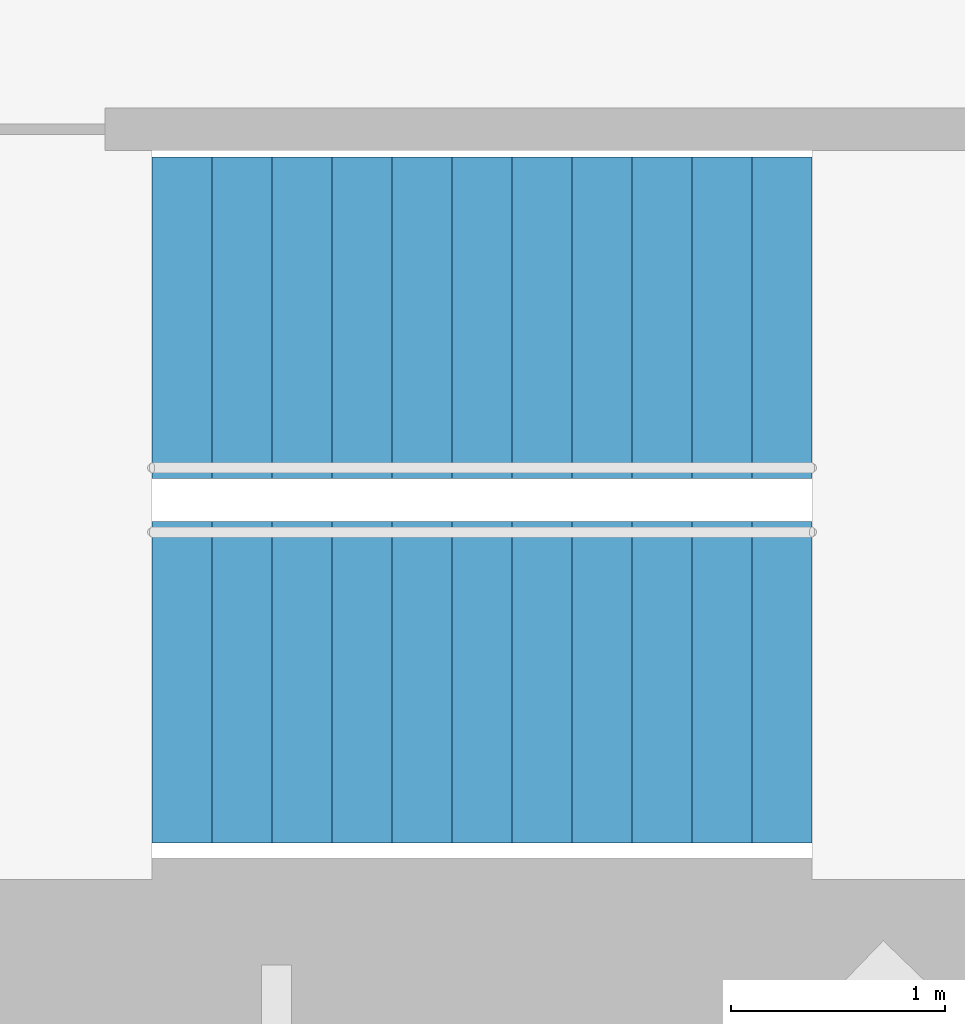
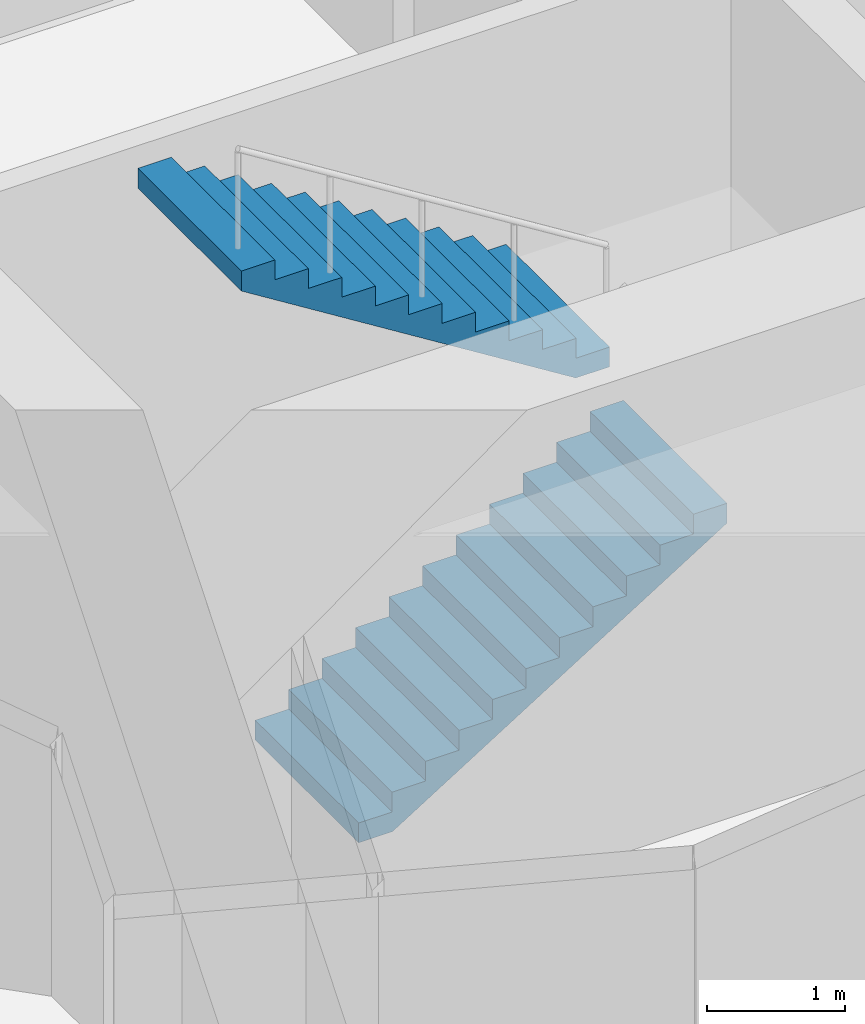
# One storey, part 16 of 18: 2 stair flights, 1 element without a shape of its own.
"""IFC4 building model written with IfcOpenShell, lengths in metres."""

from ifc_helpers import new_model, si_unit, direction, frame, origin, place, context, subcontext, project, spatial, triangles, material, type_object, element, aggregate, save


model = new_model("IFC4")

# Units and contexts
model_context = context("Model", 3, precision=1e-05, world=origin(), true_north=direction((0.0, 1.0)))
body_context = subcontext(model_context, "Body", "Model", "MODEL_VIEW")
ifc_project = project(units=[si_unit("LENGTHUNIT", "METRE"), si_unit("AREAUNIT", "SQUARE_METRE"), si_unit("VOLUMEUNIT", "CUBIC_METRE"), si_unit("PLANEANGLEUNIT", "RADIAN"), si_unit("MASSUNIT", "GRAM", prefix="KILO")], contexts=[model_context])

# Site, building, storey
site_placement = place(None, origin())
site = spatial("IfcSite", under=ifc_project, at=site_placement, CompositionType="ELEMENT")
building_placement = place(site_placement, origin())
building = spatial("IfcBuilding", under=site, at=building_placement, Name="Lantaw Convention Tower", CompositionType="ELEMENT")
storey_placement = place(building_placement, frame((0.0, 0.0, 262.0)))
storey = spatial("IfcBuildingStorey", under=building, at=storey_placement, Name="L61", CompositionType="ELEMENT", Elevation=262.0)

# Stair, stair flights
ifc_material = material(Name="Concrete C35/45", Category="concrete")
stair_type = type_object("IfcStairType", Name="Exit stair 1500 riser 175 in 2 flights", PredefinedType="HALF_TURN_STAIR", material=ifc_material)
stair_placement = place(storey_placement, origin())
stair = element("IfcStair", 1, at=stair_placement, inside=storey, type_object=stair_type, Name="Exit stair S1 L61", PredefinedType="HALF_TURN_STAIR")
stair_flight_type = type_object("IfcStairFlightType", Name="Stair flight 1500 riser 175", PredefinedType="STRAIGHT", material=ifc_material)
stair_flight_1_placement = place(storey_placement, frame((-10.580078125, -5.97998046875, 0.0), z_axis=(0.0, 0.0, 1.0), x_axis=(1.0, 0.0, 0.0)))
stair_flight_1 = element("IfcStairFlight", 2, at=stair_flight_1_placement, type_object=stair_flight_type, Name="S1 flight 1", NumberOfRisers=12, NumberOfTreads=11, PredefinedType="STRAIGHT", RiserHeight=0.175, TreadLength=0.28, context=body_context, shape_type="Tessellation", body=[
    triangles([(0.0, 0.75, 0.0), (0.0, 0.75, 0.175), (0.28, 0.75, 0.0), (0.28, 0.75, 0.175), (0.28, 0.75, 0.35), (0.28283517651771284, 0.75, 0.0), (0.28283517651771284, 0.75, 0.35), (0.56, 0.75, 0.17322801467642948), (0.56, 0.75, 0.35), (0.56, 0.75, 0.5249999999999999), (0.8400000000000001, 0.75, 0.34822801467642944), (0.8400000000000001, 0.75, 0.5249999999999999), (0.8400000000000001, 0.75, 0.7), (1.12, 0.75, 0.5232280146764294), (1.12, 0.75, 0.7), (1.12, 0.75, 0.875), (1.4000000000000001, 0.75, 0.6982280146764295), (1.4000000000000001, 0.75, 0.875), (1.4000000000000001, 0.75, 1.0499999999999998), (1.6800000000000002, 0.75, 0.8732280146764294), (1.6800000000000002, 0.75, 1.0499999999999998), (1.6800000000000002, 0.75, 1.2249999999999999), (1.9600000000000002, 0.75, 1.0482280146764293), (1.9600000000000002, 0.75, 1.2249999999999999), (1.9600000000000002, 0.75, 1.4), (2.24, 0.75, 1.2232280146764294), (2.24, 0.75, 1.4), (2.24, 0.75, 1.575), (2.5200000000000005, 0.75, 1.3982280146764294), (2.5200000000000005, 0.75, 1.575), (2.5200000000000005, 0.75, 1.75), (2.8000000000000003, 0.75, 1.5732280146764293), (2.8000000000000003, 0.75, 1.75), (2.8000000000000003, 0.75, 1.9249999999999998), (3.08, 0.75, 1.7482280146764293), (3.08, 0.75, 1.9249999999999998), (0.0, -0.75, 0.0), (0.0, -0.75, 0.175), (0.28, -0.75, 0.0), (0.28, -0.75, 0.175), (0.28, -0.75, 0.35), (0.28283517651771284, -0.75, 0.0), (0.28283517651771284, -0.75, 0.35), (0.56, -0.75, 0.17322801467642948), (0.56, -0.75, 0.35), (0.56, -0.75, 0.5249999999999999), (0.8400000000000001, -0.75, 0.34822801467642944), (0.8400000000000001, -0.75, 0.5249999999999999), (0.8400000000000001, -0.75, 0.7), (1.12, -0.75, 0.5232280146764294), (1.12, -0.75, 0.7), (1.12, -0.75, 0.875), (1.4000000000000001, -0.75, 0.6982280146764295), (1.4000000000000001, -0.75, 0.875), (1.4000000000000001, -0.75, 1.0499999999999998), (1.6800000000000002, -0.75, 0.8732280146764294), (1.6800000000000002, -0.75, 1.0499999999999998), (1.6800000000000002, -0.75, 1.2249999999999999), (1.9600000000000002, -0.75, 1.0482280146764293), (1.9600000000000002, -0.75, 1.2249999999999999), (1.9600000000000002, -0.75, 1.4), (2.24, -0.75, 1.2232280146764294), (2.24, -0.75, 1.4), (2.24, -0.75, 1.575), (2.5200000000000005, -0.75, 1.3982280146764294), (2.5200000000000005, -0.75, 1.575), (2.5200000000000005, -0.75, 1.75), (2.8000000000000003, -0.75, 1.5732280146764293), (2.8000000000000003, -0.75, 1.75), (2.8000000000000003, -0.75, 1.9249999999999998), (3.08, -0.75, 1.7482280146764293), (3.08, -0.75, 1.9249999999999998), (0.0, 0.15000000000000002, 0.175), (0.0, 0.15000000000000002, 0.0), (0.0, 0.0, 0.175), (0.0, 0.0, 0.0), (0.0, -0.15000000000000002, 0.175), (0.0, -0.15000000000000002, 0.0), (0.28, 0.15000000000000002, 0.35), (0.28, 0.15000000000000002, 0.175), (0.28, 0.0, 0.35), (0.28, 0.0, 0.175), (0.28, -0.15000000000000002, 0.35), (0.28, -0.15000000000000002, 0.175), (0.56, 0.15000000000000002, 0.5249999999999999), (0.56, 0.15000000000000002, 0.35), (0.56, 0.0, 0.5249999999999999), (0.56, 0.0, 0.35), (0.56, -0.15000000000000002, 0.5249999999999999), (0.56, -0.15000000000000002, 0.35), (0.8400000000000001, 0.15000000000000002, 0.7), (0.8400000000000001, 0.15000000000000002, 0.5249999999999999), (0.8400000000000001, 0.0, 0.7), (0.8400000000000001, 0.0, 0.5249999999999999), (0.8400000000000001, -0.15000000000000002, 0.7), (0.8400000000000001, -0.15000000000000002, 0.5249999999999999), (1.12, 0.15000000000000002, 0.875), (1.12, 0.15000000000000002, 0.7), (1.12, 0.0, 0.875), (1.12, 0.0, 0.7), (1.12, -0.15000000000000002, 0.875), (1.12, -0.15000000000000002, 0.7), (1.4000000000000001, 0.15000000000000002, 1.0499999999999998), (1.4000000000000001, 0.15000000000000002, 0.875), (1.4000000000000001, 0.0, 1.0499999999999998), (1.4000000000000001, 0.0, 0.875), (1.4000000000000001, -0.15000000000000002, 1.0499999999999998), (1.4000000000000001, -0.15000000000000002, 0.875), (1.6800000000000002, 0.15000000000000002, 1.2249999999999999), (1.6800000000000002, 0.15000000000000002, 1.0499999999999998), (1.6800000000000002, 0.0, 1.2249999999999999), (1.6800000000000002, 0.0, 1.0499999999999998), (1.6800000000000002, -0.15000000000000002, 1.2249999999999999), (1.6800000000000002, -0.15000000000000002, 1.0499999999999998), (1.9600000000000002, 0.15000000000000002, 1.4), (1.9600000000000002, 0.15000000000000002, 1.2249999999999999), (1.9600000000000002, 0.0, 1.4), (1.9600000000000002, 0.0, 1.2249999999999999), (1.9600000000000002, -0.15000000000000002, 1.4), (1.9600000000000002, -0.15000000000000002, 1.2249999999999999), (2.24, 0.15000000000000002, 1.575), (2.24, 0.15000000000000002, 1.4), (2.24, 0.0, 1.575), (2.24, 0.0, 1.4), (2.24, -0.15000000000000002, 1.575), (2.24, -0.15000000000000002, 1.4), (2.5200000000000005, 0.15000000000000002, 1.75), (2.5200000000000005, 0.15000000000000002, 1.575), (2.5200000000000005, 0.0, 1.75), (2.5200000000000005, 0.0, 1.575), (2.5200000000000005, -0.15000000000000002, 1.75), (2.5200000000000005, -0.15000000000000002, 1.575), (2.8000000000000003, 0.15000000000000002, 1.9249999999999998), (2.8000000000000003, 0.15000000000000002, 1.75), (2.8000000000000003, 0.0, 1.9249999999999998), (2.8000000000000003, 0.0, 1.75), (2.8000000000000003, -0.15000000000000002, 1.9249999999999998), (2.8000000000000003, -0.15000000000000002, 1.75), (0.28283517651771284, 0.15000000000000002, 0.35), (0.28283517651771284, 0.0, 0.35), (0.28283517651771284, -0.15000000000000002, 0.35), (3.08, 0.15000000000000002, 1.9249999999999998), (3.08, 0.0, 1.9249999999999998), (3.08, -0.15000000000000002, 1.9249999999999998), (3.08, 0.15000000000000002, 1.7482280146764293), (3.08, 0.0, 1.7482280146764293), (3.08, -0.15000000000000002, 1.7482280146764293), (2.8000000000000003, 0.15000000000000002, 1.5732280146764293), (2.8000000000000003, 0.0, 1.5732280146764293), (2.8000000000000003, -0.15000000000000002, 1.5732280146764293), (2.5200000000000005, 0.15000000000000002, 1.3982280146764294), (2.5200000000000005, 0.0, 1.3982280146764294), (2.5200000000000005, -0.15000000000000002, 1.3982280146764294), (2.24, 0.15000000000000002, 1.2232280146764294), (2.24, 0.0, 1.2232280146764294), (2.24, -0.15000000000000002, 1.2232280146764294), (1.9600000000000002, 0.15000000000000002, 1.0482280146764293), (1.9600000000000002, 0.0, 1.0482280146764293), (1.9600000000000002, -0.15000000000000002, 1.0482280146764293), (1.6800000000000002, 0.15000000000000002, 0.8732280146764294), (1.6800000000000002, 0.0, 0.8732280146764294), (1.6800000000000002, -0.15000000000000002, 0.8732280146764294), (1.4000000000000001, 0.15000000000000002, 0.6982280146764295), (1.4000000000000001, 0.0, 0.6982280146764295), (1.4000000000000001, -0.15000000000000002, 0.6982280146764295), (1.12, 0.15000000000000002, 0.5232280146764294), (1.12, 0.0, 0.5232280146764294), (1.12, -0.15000000000000002, 0.5232280146764294), (0.8400000000000001, 0.15000000000000002, 0.34822801467642944), (0.8400000000000001, 0.0, 0.34822801467642944), (0.8400000000000001, -0.15000000000000002, 0.34822801467642944), (0.56, 0.15000000000000002, 0.17322801467642948), (0.56, 0.0, 0.17322801467642948), (0.56, -0.15000000000000002, 0.17322801467642948), (0.28283517651771284, 0.15000000000000002, 0.0), (0.28283517651771284, 0.0, 0.0), (0.28283517651771284, -0.15000000000000002, 0.0), (0.28, 0.15000000000000002, 0.0), (0.28, 0.0, 0.0), (0.28, -0.15000000000000002, 0.0)], [[1, 4, 3], [1, 2, 4], [3, 4, 6], [4, 7, 6], [4, 5, 7], [6, 9, 8], [6, 7, 9], [8, 9, 11], [9, 12, 11], [9, 10, 12], [11, 12, 14], [12, 15, 14], [12, 13, 15], [14, 15, 17], [15, 18, 17], [15, 16, 18], [17, 18, 20], [18, 21, 20], [18, 19, 21], [20, 21, 23], [21, 24, 23], [21, 22, 24], [23, 24, 26], [24, 27, 26], [24, 25, 27], [26, 27, 29], [27, 30, 29], [27, 28, 30], [29, 30, 32], [30, 33, 32], [30, 31, 33], [32, 33, 35], [33, 36, 35], [33, 34, 36], [37, 39, 40], [37, 40, 38], [39, 42, 40], [40, 42, 43], [40, 43, 41], [42, 44, 45], [42, 45, 43], [44, 47, 45], [45, 47, 48], [45, 48, 46], [47, 50, 48], [48, 50, 51], [48, 51, 49], [50, 53, 51], [51, 53, 54], [51, 54, 52], [53, 56, 54], [54, 56, 57], [54, 57, 55], [56, 59, 57], [57, 59, 60], [57, 60, 58], [59, 62, 60], [60, 62, 63], [60, 63, 61], [62, 65, 63], [63, 65, 66], [63, 66, 64], [65, 68, 66], [66, 68, 69], [66, 69, 67], [68, 71, 69], [69, 71, 72], [69, 72, 70], [1, 73, 2], [1, 74, 73], [74, 75, 73], [74, 76, 75], [76, 77, 75], [76, 78, 77], [78, 38, 77], [78, 37, 38], [4, 79, 5], [4, 80, 79], [80, 81, 79], [80, 82, 81], [82, 83, 81], [82, 84, 83], [84, 41, 83], [84, 40, 41], [9, 85, 10], [9, 86, 85], [86, 87, 85], [86, 88, 87], [88, 89, 87], [88, 90, 89], [90, 46, 89], [90, 45, 46], [12, 91, 13], [12, 92, 91], [92, 93, 91], [92, 94, 93], [94, 95, 93], [94, 96, 95], [96, 49, 95], [96, 48, 49], [15, 97, 16], [15, 98, 97], [98, 99, 97], [98, 100, 99], [100, 101, 99], [100, 102, 101], [102, 52, 101], [102, 51, 52], [18, 103, 19], [18, 104, 103], [104, 105, 103], [104, 106, 105], [106, 107, 105], [106, 108, 107], [108, 55, 107], [108, 54, 55], [21, 109, 22], [21, 110, 109], [110, 111, 109], [110, 112, 111], [112, 113, 111], [112, 114, 113], [114, 58, 113], [114, 57, 58], [24, 115, 25], [24, 116, 115], [116, 117, 115], [116, 118, 117], [118, 119, 117], [118, 120, 119], [120, 61, 119], [120, 60, 61], [27, 121, 28], [27, 122, 121], [122, 123, 121], [122, 124, 123], [124, 125, 123], [124, 126, 125], [126, 64, 125], [126, 63, 64], [30, 127, 31], [30, 128, 127], [128, 129, 127], [128, 130, 129], [130, 131, 129], [130, 132, 131], [132, 67, 131], [132, 66, 67], [33, 133, 34], [33, 134, 133], [134, 135, 133], [134, 136, 135], [136, 137, 135], [136, 138, 137], [138, 70, 137], [138, 69, 70], [2, 80, 4], [2, 73, 80], [73, 82, 80], [73, 75, 82], [75, 84, 82], [75, 77, 84], [77, 40, 84], [77, 38, 40], [5, 139, 7], [5, 79, 139], [79, 140, 139], [79, 81, 140], [81, 141, 140], [81, 83, 141], [83, 43, 141], [83, 41, 43], [7, 86, 9], [7, 139, 86], [139, 88, 86], [139, 140, 88], [140, 90, 88], [140, 141, 90], [141, 45, 90], [141, 43, 45], [10, 92, 12], [10, 85, 92], [85, 94, 92], [85, 87, 94], [87, 96, 94], [87, 89, 96], [89, 48, 96], [89, 46, 48], [13, 98, 15], [13, 91, 98], [91, 100, 98], [91, 93, 100], [93, 102, 100], [93, 95, 102], [95, 51, 102], [95, 49, 51], [16, 104, 18], [16, 97, 104], [97, 106, 104], [97, 99, 106], [99, 108, 106], [99, 101, 108], [101, 54, 108], [101, 52, 54], [19, 110, 21], [19, 103, 110], [103, 112, 110], [103, 105, 112], [105, 114, 112], [105, 107, 114], [107, 57, 114], [107, 55, 57], [22, 116, 24], [22, 109, 116], [109, 118, 116], [109, 111, 118], [111, 120, 118], [111, 113, 120], [113, 60, 120], [113, 58, 60], [25, 122, 27], [25, 115, 122], [115, 124, 122], [115, 117, 124], [117, 126, 124], [117, 119, 126], [119, 63, 126], [119, 61, 63], [28, 128, 30], [28, 121, 128], [121, 130, 128], [121, 123, 130], [123, 132, 130], [123, 125, 132], [125, 66, 132], [125, 64, 66], [31, 134, 33], [31, 127, 134], [127, 136, 134], [127, 129, 136], [129, 138, 136], [129, 131, 138], [131, 69, 138], [131, 67, 69], [34, 142, 36], [34, 133, 142], [133, 143, 142], [133, 135, 143], [135, 144, 143], [135, 137, 144], [137, 72, 144], [137, 70, 72], [36, 145, 35], [36, 142, 145], [142, 146, 145], [142, 143, 146], [143, 147, 146], [143, 144, 147], [144, 71, 147], [144, 72, 71], [35, 148, 32], [35, 145, 148], [145, 149, 148], [145, 146, 149], [146, 150, 149], [146, 147, 150], [147, 68, 150], [147, 71, 68], [32, 151, 29], [32, 148, 151], [148, 152, 151], [148, 149, 152], [149, 153, 152], [149, 150, 153], [150, 65, 153], [150, 68, 65], [29, 154, 26], [29, 151, 154], [151, 155, 154], [151, 152, 155], [152, 156, 155], [152, 153, 156], [153, 62, 156], [153, 65, 62], [26, 157, 23], [26, 154, 157], [154, 158, 157], [154, 155, 158], [155, 159, 158], [155, 156, 159], [156, 59, 159], [156, 62, 59], [23, 160, 20], [23, 157, 160], [157, 161, 160], [157, 158, 161], [158, 162, 161], [158, 159, 162], [159, 56, 162], [159, 59, 56], [20, 163, 17], [20, 160, 163], [160, 164, 163], [160, 161, 164], [161, 165, 164], [161, 162, 165], [162, 53, 165], [162, 56, 53], [17, 166, 14], [17, 163, 166], [163, 167, 166], [163, 164, 167], [164, 168, 167], [164, 165, 168], [165, 50, 168], [165, 53, 50], [14, 169, 11], [14, 166, 169], [166, 170, 169], [166, 167, 170], [167, 171, 170], [167, 168, 171], [168, 47, 171], [168, 50, 47], [11, 172, 8], [11, 169, 172], [169, 173, 172], [169, 170, 173], [170, 174, 173], [170, 171, 174], [171, 44, 174], [171, 47, 44], [8, 175, 6], [8, 172, 175], [172, 176, 175], [172, 173, 176], [173, 177, 176], [173, 174, 177], [174, 42, 177], [174, 44, 42], [6, 178, 3], [6, 175, 178], [175, 179, 178], [175, 176, 179], [176, 180, 179], [176, 177, 180], [177, 39, 180], [177, 42, 39], [3, 74, 1], [3, 178, 74], [178, 76, 74], [178, 179, 76], [179, 78, 76], [179, 180, 78], [180, 37, 78], [180, 39, 37]], closed=True),
])
stair_flight_2_placement = place(storey_placement, frame((-7.5, -4.280029296875, 2.10009765625), z_axis=(0.0, 0.0, 1.0), x_axis=(-1.0, 0.0, 0.0)))
stair_flight_2 = element("IfcStairFlight", 3, at=stair_flight_2_placement, type_object=stair_flight_type, Name="S1 flight 2", NumberOfRisers=12, NumberOfTreads=11, PredefinedType="STRAIGHT", RiserHeight=0.175, TreadLength=0.28, context=body_context, shape_type="Tessellation", body=[
    triangles([(0.0, 0.75, 0.0), (0.0, 0.75, 0.175), (0.28, 0.75, 0.0), (0.28, 0.75, 0.175), (0.28, 0.75, 0.35), (0.28283517651771284, 0.75, 0.0), (0.28283517651771284, 0.75, 0.35), (0.56, 0.75, 0.17322801467642948), (0.56, 0.75, 0.35), (0.56, 0.75, 0.5249999999999999), (0.8400000000000001, 0.75, 0.34822801467642944), (0.8400000000000001, 0.75, 0.5249999999999999), (0.8400000000000001, 0.75, 0.7), (1.12, 0.75, 0.5232280146764294), (1.12, 0.75, 0.7), (1.12, 0.75, 0.875), (1.4000000000000001, 0.75, 0.6982280146764295), (1.4000000000000001, 0.75, 0.875), (1.4000000000000001, 0.75, 1.0499999999999998), (1.6800000000000002, 0.75, 0.8732280146764294), (1.6800000000000002, 0.75, 1.0499999999999998), (1.6800000000000002, 0.75, 1.2249999999999999), (1.9600000000000002, 0.75, 1.0482280146764293), (1.9600000000000002, 0.75, 1.2249999999999999), (1.9600000000000002, 0.75, 1.4), (2.24, 0.75, 1.2232280146764294), (2.24, 0.75, 1.4), (2.24, 0.75, 1.575), (2.5200000000000005, 0.75, 1.3982280146764294), (2.5200000000000005, 0.75, 1.575), (2.5200000000000005, 0.75, 1.75), (2.8000000000000003, 0.75, 1.5732280146764293), (2.8000000000000003, 0.75, 1.75), (2.8000000000000003, 0.75, 1.9249999999999998), (3.08, 0.75, 1.7482280146764293), (3.08, 0.75, 1.9249999999999998), (0.0, -0.75, 0.0), (0.0, -0.75, 0.175), (0.28, -0.75, 0.0), (0.28, -0.75, 0.175), (0.28, -0.75, 0.35), (0.28283517651771284, -0.75, 0.0), (0.28283517651771284, -0.75, 0.35), (0.56, -0.75, 0.17322801467642948), (0.56, -0.75, 0.35), (0.56, -0.75, 0.5249999999999999), (0.8400000000000001, -0.75, 0.34822801467642944), (0.8400000000000001, -0.75, 0.5249999999999999), (0.8400000000000001, -0.75, 0.7), (1.12, -0.75, 0.5232280146764294), (1.12, -0.75, 0.7), (1.12, -0.75, 0.875), (1.4000000000000001, -0.75, 0.6982280146764295), (1.4000000000000001, -0.75, 0.875), (1.4000000000000001, -0.75, 1.0499999999999998), (1.6800000000000002, -0.75, 0.8732280146764294), (1.6800000000000002, -0.75, 1.0499999999999998), (1.6800000000000002, -0.75, 1.2249999999999999), (1.9600000000000002, -0.75, 1.0482280146764293), (1.9600000000000002, -0.75, 1.2249999999999999), (1.9600000000000002, -0.75, 1.4), (2.24, -0.75, 1.2232280146764294), (2.24, -0.75, 1.4), (2.24, -0.75, 1.575), (2.5200000000000005, -0.75, 1.3982280146764294), (2.5200000000000005, -0.75, 1.575), (2.5200000000000005, -0.75, 1.75), (2.8000000000000003, -0.75, 1.5732280146764293), (2.8000000000000003, -0.75, 1.75), (2.8000000000000003, -0.75, 1.9249999999999998), (3.08, -0.75, 1.7482280146764293), (3.08, -0.75, 1.9249999999999998), (0.0, 0.15000000000000002, 0.175), (0.0, 0.15000000000000002, 0.0), (0.0, 0.0, 0.175), (0.0, 0.0, 0.0), (0.0, -0.15000000000000002, 0.175), (0.0, -0.15000000000000002, 0.0), (0.28, 0.15000000000000002, 0.35), (0.28, 0.15000000000000002, 0.175), (0.28, 0.0, 0.35), (0.28, 0.0, 0.175), (0.28, -0.15000000000000002, 0.35), (0.28, -0.15000000000000002, 0.175), (0.56, 0.15000000000000002, 0.5249999999999999), (0.56, 0.15000000000000002, 0.35), (0.56, 0.0, 0.5249999999999999), (0.56, 0.0, 0.35), (0.56, -0.15000000000000002, 0.5249999999999999), (0.56, -0.15000000000000002, 0.35), (0.8400000000000001, 0.15000000000000002, 0.7), (0.8400000000000001, 0.15000000000000002, 0.5249999999999999), (0.8400000000000001, 0.0, 0.7), (0.8400000000000001, 0.0, 0.5249999999999999), (0.8400000000000001, -0.15000000000000002, 0.7), (0.8400000000000001, -0.15000000000000002, 0.5249999999999999), (1.12, 0.15000000000000002, 0.875), (1.12, 0.15000000000000002, 0.7), (1.12, 0.0, 0.875), (1.12, 0.0, 0.7), (1.12, -0.15000000000000002, 0.875), (1.12, -0.15000000000000002, 0.7), (1.4000000000000001, 0.15000000000000002, 1.0499999999999998), (1.4000000000000001, 0.15000000000000002, 0.875), (1.4000000000000001, 0.0, 1.0499999999999998), (1.4000000000000001, 0.0, 0.875), (1.4000000000000001, -0.15000000000000002, 1.0499999999999998), (1.4000000000000001, -0.15000000000000002, 0.875), (1.6800000000000002, 0.15000000000000002, 1.2249999999999999), (1.6800000000000002, 0.15000000000000002, 1.0499999999999998), (1.6800000000000002, 0.0, 1.2249999999999999), (1.6800000000000002, 0.0, 1.0499999999999998), (1.6800000000000002, -0.15000000000000002, 1.2249999999999999), (1.6800000000000002, -0.15000000000000002, 1.0499999999999998), (1.9600000000000002, 0.15000000000000002, 1.4), (1.9600000000000002, 0.15000000000000002, 1.2249999999999999), (1.9600000000000002, 0.0, 1.4), (1.9600000000000002, 0.0, 1.2249999999999999), (1.9600000000000002, -0.15000000000000002, 1.4), (1.9600000000000002, -0.15000000000000002, 1.2249999999999999), (2.24, 0.15000000000000002, 1.575), (2.24, 0.15000000000000002, 1.4), (2.24, 0.0, 1.575), (2.24, 0.0, 1.4), (2.24, -0.15000000000000002, 1.575), (2.24, -0.15000000000000002, 1.4), (2.5200000000000005, 0.15000000000000002, 1.75), (2.5200000000000005, 0.15000000000000002, 1.575), (2.5200000000000005, 0.0, 1.75), (2.5200000000000005, 0.0, 1.575), (2.5200000000000005, -0.15000000000000002, 1.75), (2.5200000000000005, -0.15000000000000002, 1.575), (2.8000000000000003, 0.15000000000000002, 1.9249999999999998), (2.8000000000000003, 0.15000000000000002, 1.75), (2.8000000000000003, 0.0, 1.9249999999999998), (2.8000000000000003, 0.0, 1.75), (2.8000000000000003, -0.15000000000000002, 1.9249999999999998), (2.8000000000000003, -0.15000000000000002, 1.75), (0.28283517651771284, 0.15000000000000002, 0.35), (0.28283517651771284, 0.0, 0.35), (0.28283517651771284, -0.15000000000000002, 0.35), (3.08, 0.15000000000000002, 1.9249999999999998), (3.08, 0.0, 1.9249999999999998), (3.08, -0.15000000000000002, 1.9249999999999998), (3.08, 0.15000000000000002, 1.7482280146764293), (3.08, 0.0, 1.7482280146764293), (3.08, -0.15000000000000002, 1.7482280146764293), (2.8000000000000003, 0.15000000000000002, 1.5732280146764293), (2.8000000000000003, 0.0, 1.5732280146764293), (2.8000000000000003, -0.15000000000000002, 1.5732280146764293), (2.5200000000000005, 0.15000000000000002, 1.3982280146764294), (2.5200000000000005, 0.0, 1.3982280146764294), (2.5200000000000005, -0.15000000000000002, 1.3982280146764294), (2.24, 0.15000000000000002, 1.2232280146764294), (2.24, 0.0, 1.2232280146764294), (2.24, -0.15000000000000002, 1.2232280146764294), (1.9600000000000002, 0.15000000000000002, 1.0482280146764293), (1.9600000000000002, 0.0, 1.0482280146764293), (1.9600000000000002, -0.15000000000000002, 1.0482280146764293), (1.6800000000000002, 0.15000000000000002, 0.8732280146764294), (1.6800000000000002, 0.0, 0.8732280146764294), (1.6800000000000002, -0.15000000000000002, 0.8732280146764294), (1.4000000000000001, 0.15000000000000002, 0.6982280146764295), (1.4000000000000001, 0.0, 0.6982280146764295), (1.4000000000000001, -0.15000000000000002, 0.6982280146764295), (1.12, 0.15000000000000002, 0.5232280146764294), (1.12, 0.0, 0.5232280146764294), (1.12, -0.15000000000000002, 0.5232280146764294), (0.8400000000000001, 0.15000000000000002, 0.34822801467642944), (0.8400000000000001, 0.0, 0.34822801467642944), (0.8400000000000001, -0.15000000000000002, 0.34822801467642944), (0.56, 0.15000000000000002, 0.17322801467642948), (0.56, 0.0, 0.17322801467642948), (0.56, -0.15000000000000002, 0.17322801467642948), (0.28283517651771284, 0.15000000000000002, 0.0), (0.28283517651771284, 0.0, 0.0), (0.28283517651771284, -0.15000000000000002, 0.0), (0.28, 0.15000000000000002, 0.0), (0.28, 0.0, 0.0), (0.28, -0.15000000000000002, 0.0)], [[1, 4, 3], [1, 2, 4], [3, 4, 6], [4, 7, 6], [4, 5, 7], [6, 9, 8], [6, 7, 9], [8, 9, 11], [9, 12, 11], [9, 10, 12], [11, 12, 14], [12, 15, 14], [12, 13, 15], [14, 15, 17], [15, 18, 17], [15, 16, 18], [17, 18, 20], [18, 21, 20], [18, 19, 21], [20, 21, 23], [21, 24, 23], [21, 22, 24], [23, 24, 26], [24, 27, 26], [24, 25, 27], [26, 27, 29], [27, 30, 29], [27, 28, 30], [29, 30, 32], [30, 33, 32], [30, 31, 33], [32, 33, 35], [33, 36, 35], [33, 34, 36], [37, 39, 40], [37, 40, 38], [39, 42, 40], [40, 42, 43], [40, 43, 41], [42, 44, 45], [42, 45, 43], [44, 47, 45], [45, 47, 48], [45, 48, 46], [47, 50, 48], [48, 50, 51], [48, 51, 49], [50, 53, 51], [51, 53, 54], [51, 54, 52], [53, 56, 54], [54, 56, 57], [54, 57, 55], [56, 59, 57], [57, 59, 60], [57, 60, 58], [59, 62, 60], [60, 62, 63], [60, 63, 61], [62, 65, 63], [63, 65, 66], [63, 66, 64], [65, 68, 66], [66, 68, 69], [66, 69, 67], [68, 71, 69], [69, 71, 72], [69, 72, 70], [1, 73, 2], [1, 74, 73], [74, 75, 73], [74, 76, 75], [76, 77, 75], [76, 78, 77], [78, 38, 77], [78, 37, 38], [4, 79, 5], [4, 80, 79], [80, 81, 79], [80, 82, 81], [82, 83, 81], [82, 84, 83], [84, 41, 83], [84, 40, 41], [9, 85, 10], [9, 86, 85], [86, 87, 85], [86, 88, 87], [88, 89, 87], [88, 90, 89], [90, 46, 89], [90, 45, 46], [12, 91, 13], [12, 92, 91], [92, 93, 91], [92, 94, 93], [94, 95, 93], [94, 96, 95], [96, 49, 95], [96, 48, 49], [15, 97, 16], [15, 98, 97], [98, 99, 97], [98, 100, 99], [100, 101, 99], [100, 102, 101], [102, 52, 101], [102, 51, 52], [18, 103, 19], [18, 104, 103], [104, 105, 103], [104, 106, 105], [106, 107, 105], [106, 108, 107], [108, 55, 107], [108, 54, 55], [21, 109, 22], [21, 110, 109], [110, 111, 109], [110, 112, 111], [112, 113, 111], [112, 114, 113], [114, 58, 113], [114, 57, 58], [24, 115, 25], [24, 116, 115], [116, 117, 115], [116, 118, 117], [118, 119, 117], [118, 120, 119], [120, 61, 119], [120, 60, 61], [27, 121, 28], [27, 122, 121], [122, 123, 121], [122, 124, 123], [124, 125, 123], [124, 126, 125], [126, 64, 125], [126, 63, 64], [30, 127, 31], [30, 128, 127], [128, 129, 127], [128, 130, 129], [130, 131, 129], [130, 132, 131], [132, 67, 131], [132, 66, 67], [33, 133, 34], [33, 134, 133], [134, 135, 133], [134, 136, 135], [136, 137, 135], [136, 138, 137], [138, 70, 137], [138, 69, 70], [2, 80, 4], [2, 73, 80], [73, 82, 80], [73, 75, 82], [75, 84, 82], [75, 77, 84], [77, 40, 84], [77, 38, 40], [5, 139, 7], [5, 79, 139], [79, 140, 139], [79, 81, 140], [81, 141, 140], [81, 83, 141], [83, 43, 141], [83, 41, 43], [7, 86, 9], [7, 139, 86], [139, 88, 86], [139, 140, 88], [140, 90, 88], [140, 141, 90], [141, 45, 90], [141, 43, 45], [10, 92, 12], [10, 85, 92], [85, 94, 92], [85, 87, 94], [87, 96, 94], [87, 89, 96], [89, 48, 96], [89, 46, 48], [13, 98, 15], [13, 91, 98], [91, 100, 98], [91, 93, 100], [93, 102, 100], [93, 95, 102], [95, 51, 102], [95, 49, 51], [16, 104, 18], [16, 97, 104], [97, 106, 104], [97, 99, 106], [99, 108, 106], [99, 101, 108], [101, 54, 108], [101, 52, 54], [19, 110, 21], [19, 103, 110], [103, 112, 110], [103, 105, 112], [105, 114, 112], [105, 107, 114], [107, 57, 114], [107, 55, 57], [22, 116, 24], [22, 109, 116], [109, 118, 116], [109, 111, 118], [111, 120, 118], [111, 113, 120], [113, 60, 120], [113, 58, 60], [25, 122, 27], [25, 115, 122], [115, 124, 122], [115, 117, 124], [117, 126, 124], [117, 119, 126], [119, 63, 126], [119, 61, 63], [28, 128, 30], [28, 121, 128], [121, 130, 128], [121, 123, 130], [123, 132, 130], [123, 125, 132], [125, 66, 132], [125, 64, 66], [31, 134, 33], [31, 127, 134], [127, 136, 134], [127, 129, 136], [129, 138, 136], [129, 131, 138], [131, 69, 138], [131, 67, 69], [34, 142, 36], [34, 133, 142], [133, 143, 142], [133, 135, 143], [135, 144, 143], [135, 137, 144], [137, 72, 144], [137, 70, 72], [36, 145, 35], [36, 142, 145], [142, 146, 145], [142, 143, 146], [143, 147, 146], [143, 144, 147], [144, 71, 147], [144, 72, 71], [35, 148, 32], [35, 145, 148], [145, 149, 148], [145, 146, 149], [146, 150, 149], [146, 147, 150], [147, 68, 150], [147, 71, 68], [32, 151, 29], [32, 148, 151], [148, 152, 151], [148, 149, 152], [149, 153, 152], [149, 150, 153], [150, 65, 153], [150, 68, 65], [29, 154, 26], [29, 151, 154], [151, 155, 154], [151, 152, 155], [152, 156, 155], [152, 153, 156], [153, 62, 156], [153, 65, 62], [26, 157, 23], [26, 154, 157], [154, 158, 157], [154, 155, 158], [155, 159, 158], [155, 156, 159], [156, 59, 159], [156, 62, 59], [23, 160, 20], [23, 157, 160], [157, 161, 160], [157, 158, 161], [158, 162, 161], [158, 159, 162], [159, 56, 162], [159, 59, 56], [20, 163, 17], [20, 160, 163], [160, 164, 163], [160, 161, 164], [161, 165, 164], [161, 162, 165], [162, 53, 165], [162, 56, 53], [17, 166, 14], [17, 163, 166], [163, 167, 166], [163, 164, 167], [164, 168, 167], [164, 165, 168], [165, 50, 168], [165, 53, 50], [14, 169, 11], [14, 166, 169], [166, 170, 169], [166, 167, 170], [167, 171, 170], [167, 168, 171], [168, 47, 171], [168, 50, 47], [11, 172, 8], [11, 169, 172], [169, 173, 172], [169, 170, 173], [170, 174, 173], [170, 171, 174], [171, 44, 174], [171, 47, 44], [8, 175, 6], [8, 172, 175], [172, 176, 175], [172, 173, 176], [173, 177, 176], [173, 174, 177], [174, 42, 177], [174, 44, 42], [6, 178, 3], [6, 175, 178], [175, 179, 178], [175, 176, 179], [176, 180, 179], [176, 177, 180], [177, 39, 180], [177, 42, 39], [3, 74, 1], [3, 178, 74], [178, 76, 74], [178, 179, 76], [179, 78, 76], [179, 180, 78], [180, 37, 78], [180, 39, 37]], closed=True),
])
aggregate(stair, [stair_flight_1, stair_flight_2])

save(model, "model.ifc")
